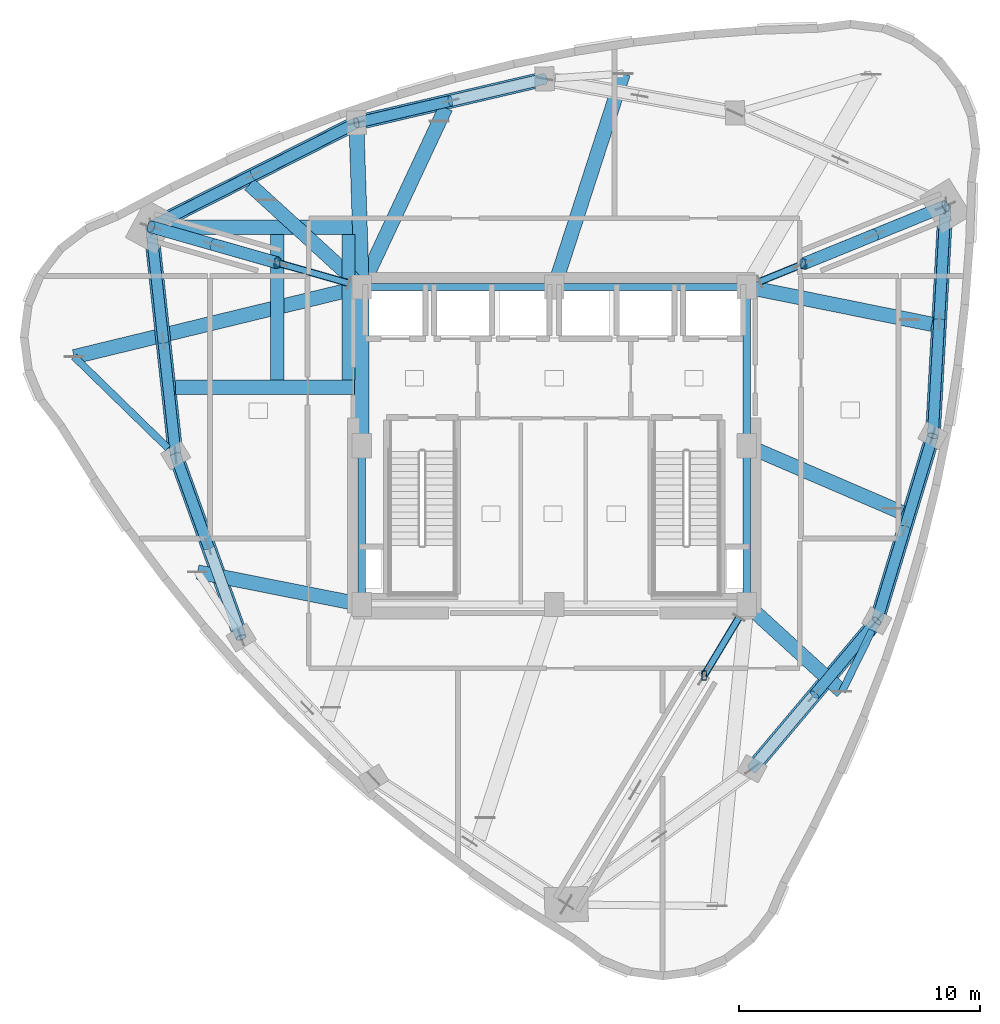
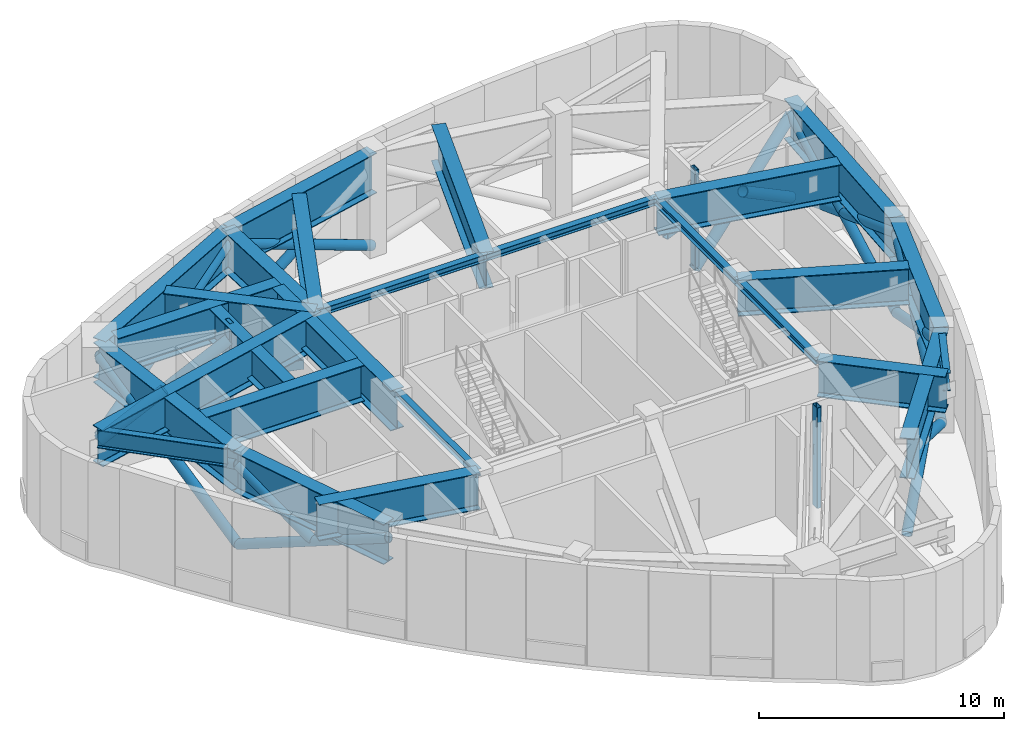
# One storey, part 2 of 10: 30 members, 28 beams.
"""IFC4 building model written with IfcOpenShell, lengths in metres."""

import ifcopenshell
import ifcopenshell.guid

model = None  # the IFC model being written
_history = None  # IfcOwnerHistory: only IFC2X3 demands one
_inside = {}  # id of a spatial element -> (the spatial element, [elements in it])
_under = {}  # id of a project, library or spatial element -> (it, [spatial elements below it])
_declared = {}  # id of a project -> (the project, [libraries it declares])
_typed = {}  # id of a type object -> (the type object, [elements of that type])
_made_of = {}  # id of a material, layer set ... -> (it, [elements and type objects made of it])


def new_model(schema):
    """Start an empty IFC model of exactly this schema.

    Asked for "IFC4X3", IfcOpenShell would pick the latest addendum, in which some entities
    have other attributes; the version numbers below select the first issue.
    IFC2X3 requires an IfcOwnerHistory on every rooted entity: one is made here for all.
    """
    global model, _history
    if schema == "IFC4X3":
        model = ifcopenshell.file(schema_version=(4, 3, 0, 0))
    else:
        model = ifcopenshell.file(schema=schema)
    _inside.clear()
    _under.clear()
    _declared.clear()
    _typed.clear()
    _made_of.clear()
    _history = None
    if model.schema == "IFC2X3":
        org = make("IfcOrganization", Name="unknown")
        user = make(
            "IfcPersonAndOrganization",
            ThePerson=make("IfcPerson", FamilyName="unknown"),
            TheOrganization=org,
        )
        app = make(
            "IfcApplication",
            ApplicationDeveloper=org,
            Version="unknown",
            ApplicationFullName="unknown",
            ApplicationIdentifier="unknown",
        )
        _history = make(
            "IfcOwnerHistory",
            OwningUser=user,
            OwningApplication=app,
            ChangeAction="ADDED",
            CreationDate=0,
        )
    return model


def make(cls, **values):
    """One entity of the class cls with the attributes given. An attribute that is None is left unset."""
    return model.create_entity(
        cls, **{name: value for name, value in values.items() if value is not None}
    )


def rooted(cls, **values):
    """An entity with a GlobalId (a new one), such as an element, a storey or a relation."""
    return make(cls, GlobalId=ifcopenshell.guid.new(), OwnerHistory=_history, **values)


def si_unit(unit_type, name, prefix=None):
    """IfcSIUnit, for example si_unit("LENGTHUNIT", "METRE", prefix="MILLI")."""
    return make("IfcSIUnit", UnitType=unit_type, Prefix=prefix, Name=name)


def assignment(units):
    """IfcUnitAssignment: the units of a project."""
    return None if units is None else make("IfcUnitAssignment", Units=units)


def point(xyz):
    """IfcCartesianPoint."""
    return None if xyz is None else make("IfcCartesianPoint", Coordinates=xyz)


def direction(xyz):
    """IfcDirection."""
    return None if xyz is None else make("IfcDirection", DirectionRatios=xyz)


def frame(location, z_axis=None, x_axis=None):
    """IfcAxis2Placement3D, a coordinate frame: its origin and axes. An axis left out is left unset."""
    return make(
        "IfcAxis2Placement3D",
        Location=point(location),
        Axis=direction(z_axis),
        RefDirection=direction(x_axis),
    )


def frame_2d(location, x_axis=None):
    """IfcAxis2Placement2D, a coordinate frame in the plane: its origin and x axis."""
    return make(
        "IfcAxis2Placement2D", Location=point(location), RefDirection=direction(x_axis)
    )


def origin():
    """The frame at (0, 0, 0) with its axes left unset."""
    return frame((0.0, 0.0, 0.0))


def origin_2d():
    """The frame at (0, 0) in the plane with its x axis left unset."""
    return frame_2d((0.0, 0.0))


def place(relative_to, where):
    """IfcLocalPlacement: puts the frame where relative to a parent placement (None: the world)."""
    return make(
        "IfcLocalPlacement", PlacementRelTo=relative_to, RelativePlacement=where
    )


def context(
    kind, dimensions, precision=None, world=None, true_north=None, identifier=None
):
    """IfcGeometricRepresentationContext, for example the 3D "Model" context."""
    return make(
        "IfcGeometricRepresentationContext",
        ContextIdentifier=identifier,
        ContextType=kind,
        CoordinateSpaceDimension=dimensions,
        Precision=precision,
        WorldCoordinateSystem=world,
        TrueNorth=true_north,
    )


def subcontext(parent, identifier, kind, view, scale=None):
    """IfcGeometricRepresentationSubContext, for example "Body" below "Model"."""
    return make(
        "IfcGeometricRepresentationSubContext",
        ContextIdentifier=identifier,
        ContextType=kind,
        ParentContext=parent,
        TargetScale=scale,
        TargetView=view,
    )


def project(units=None, contexts=None):
    """IfcProject with its units and contexts."""
    return rooted(
        "IfcProject",
        Name="project",
        RepresentationContexts=contexts,
        UnitsInContext=assignment(units),
    )


def spatial(cls, under=None, at=None, **own):
    """A site, building, storey or space (cls), placed at a placement, below another one or the project."""
    s = rooted(cls, ObjectPlacement=at, **own)
    if under is not None:
        _under.setdefault(under.id(), (under, []))[1].append(s)
    return s


def profile(cls, at=None, kind="AREA", **sizes):
    """A parametric profile (cls). Its sizes go by their IFC names, for example OverallWidth=200.0."""
    return make(cls, ProfileType=kind, Position=at, **sizes)


def hollow_rectangle(**sizes):
    """IfcRectangleHollowProfileDef."""
    return profile("IfcRectangleHollowProfileDef", **sizes)


def hollow_circle(**sizes):
    """IfcCircleHollowProfileDef."""
    return profile("IfcCircleHollowProfileDef", **sizes)


def i_section(**sizes):
    """IfcIShapeProfileDef."""
    return profile("IfcIShapeProfileDef", **sizes)


def extrude(swept, where, along, depth):
    """IfcExtrudedAreaSolid: the profile swept, set in the frame where, extruded along a direction by depth."""
    return make(
        "IfcExtrudedAreaSolid",
        SweptArea=swept,
        Position=where,
        ExtrudedDirection=direction(along),
        Depth=depth,
    )


def shape(context_of_items, identifier, shape_type, items):
    """IfcShapeRepresentation: the items that make up one representation, for example the "Body"."""
    return make(
        "IfcShapeRepresentation",
        ContextOfItems=context_of_items,
        RepresentationIdentifier=identifier,
        RepresentationType=shape_type,
        Items=items,
    )


def material(Name=None, Category=None):
    """IfcMaterial."""
    return make("IfcMaterial", Name=Name, Category=Category)


def material_profile(
    of_material, cross_section, Name=None, Category=None, Priority=None
):
    """IfcMaterialProfile: a cross section and its material."""
    return make(
        "IfcMaterialProfile",
        Name=Name,
        Material=of_material,
        Profile=cross_section,
        Priority=Priority,
        Category=Category,
    )


def profile_set(profiles, Name=None, composite=None):
    """IfcMaterialProfileSet."""
    return make(
        "IfcMaterialProfileSet",
        Name=Name,
        MaterialProfiles=profiles,
        CompositeProfile=composite,
    )


def made_of(thing, what):
    """Note that an element or type object is made of a material, layer set ...; save() writes the relation."""
    if what is not None:
        _made_of.setdefault(what.id(), (what, []))[1].append(thing)
    return thing


def type_object(cls, material=None, **own):
    """A type object (cls), such as IfcWallType, which elements share."""
    return made_of(rooted(cls, **own), material)


def element(
    cls,
    number,
    at=None,
    inside=None,
    cuts=None,
    type_object=None,
    material=None,
    context=None,
    identifier="Body",
    shape_type=None,
    held_by="IfcProductDefinitionShape",
    body=None,
    shapes=None,
    **own,
):
    """One element of the class cls, such as IfcWall. Its Tag is "e" and its number.

    at: its placement. inside: the storey or other place that contains it. cuts: it is an
    opening in that element (IfcRelVoidsElement). A single representation is given by context,
    identifier, shape_type and body (its items); several are given by shapes. held_by: the class
    of the entity that holds the representations. save() writes the other relations.
    """
    e = rooted(cls, Tag="e%d" % number, ObjectPlacement=at, **own)
    if body is not None:
        shapes = [shape(context, identifier, shape_type, body)]
    if shapes is not None:
        e.Representation = make(held_by, Representations=shapes)
    if inside is not None:
        _inside.setdefault(inside.id(), (inside, []))[1].append(e)
    if cuts is not None:
        rooted(
            "IfcRelVoidsElement", RelatingBuildingElement=cuts, RelatedOpeningElement=e
        )
    if type_object is not None:
        _typed.setdefault(type_object.id(), (type_object, []))[1].append(e)
    return made_of(e, material)


def aggregate(whole, parts):
    """IfcRelAggregates: a whole, such as a stair, and the parts it consists of."""
    return rooted("IfcRelAggregates", RelatingObject=whole, RelatedObjects=parts)


def save(model, path):
    """Write the relations noted so far, then the file.

    IfcRelAggregates (storeys below a building ...), IfcRelContainedInSpatialStructure (elements
    in a storey), IfcRelDefinesByType, IfcRelAssociatesMaterial and IfcRelDeclares: one each for
    every whole, place, type object, material and project.
    """
    for whole, parts in _under.values():
        aggregate(whole, parts)
    for where, things in _inside.values():
        rooted(
            "IfcRelContainedInSpatialStructure",
            RelatedElements=things,
            RelatingStructure=where,
        )
    for kind, things in _typed.values():
        rooted("IfcRelDefinesByType", RelatedObjects=things, RelatingType=kind)
    for what, things in _made_of.values():
        rooted("IfcRelAssociatesMaterial", RelatedObjects=things, RelatingMaterial=what)
    for by, libraries in _declared.values():
        rooted("IfcRelDeclares", RelatingContext=by, RelatedDefinitions=libraries)
    model.write(path)


model = new_model("IFC4")

# Units and contexts
model_context = context("Model", 3, precision=1e-05, world=origin(), true_north=direction((0.0, 1.0)))
body_context = subcontext(model_context, "Body", "Model", "MODEL_VIEW")
ifc_project = project(units=[si_unit("LENGTHUNIT", "METRE"), si_unit("AREAUNIT", "SQUARE_METRE"), si_unit("VOLUMEUNIT", "CUBIC_METRE"), si_unit("PLANEANGLEUNIT", "RADIAN"), si_unit("MASSUNIT", "GRAM", prefix="KILO")], contexts=[model_context])

# Site, building, storey
site_placement = place(None, origin())
site = spatial("IfcSite", under=ifc_project, at=site_placement, CompositionType="ELEMENT")
building_placement = place(site_placement, origin())
building = spatial("IfcBuilding", under=site, at=building_placement, Name="Ndelora Gate Hotel", CompositionType="ELEMENT")
storey_placement = place(building_placement, frame((0.0, 0.0, 254.949951171875)))
storey = spatial("IfcBuildingStorey", under=building, at=storey_placement, Name="L64", CompositionType="ELEMENT", Elevation=254.949951171875)

# Beams
ifc_material_1 = material(Name="Steel S460", Category="steel")
ifc_material_profile_1 = material_profile(ifc_material_1, i_section(OverallWidth=0.300048828125, OverallDepth=0.89990234375, WebThickness=0.0185546875, FlangeThickness=0.034912109375, FilletRadius=0.030029296875, at=origin_2d()), Name="HEB 900")
ifc_profile_set_1 = profile_set([ifc_material_profile_1], Name="Steel S460")
beam_type_1 = type_object("IfcBeamType", Name="BM-BELT-900", PredefinedType="SPANDREL", material=ifc_profile_set_1)
beam_1_placement = place(storey_placement, frame((-19.949951171875, 3.697509765625, 4.550048828125), z_axis=(0.716445806272, -0.697642750034, 0.0), x_axis=(0.697642750034, 0.716445806272, 0.0)))
element("IfcBeam", 1, at=beam_1_placement, inside=storey, type_object=beam_type_1, Name="L64 Setback Corner Transfer Edge Tie 1", PredefinedType="SPANDREL", context=body_context, shape_type="SweptSolid", body=[
    extrude(i_section(OverallWidth=0.300048828125, OverallDepth=0.89990234375, WebThickness=0.0185546875, FlangeThickness=0.034912109375, FilletRadius=0.030029296875, at=origin_2d()), origin(), (0.0, 0.0, 1.0), 5.4404296875),
])
beam_2_placement = place(storey_placement, frame((11.956787109375, -10.212158203125, 4.550048828125), z_axis=(0.441182617903, 0.897417348651, 0.0), x_axis=(-0.897417348651, 0.441182617903, 0.0)))
element("IfcBeam", 2, at=beam_2_placement, inside=storey, type_object=beam_type_1, Name="L64 Setback Corner Transfer Edge Tie 7", PredefinedType="SPANDREL", context=body_context, shape_type="SweptSolid", body=[
    extrude(i_section(OverallWidth=0.300048828125, OverallDepth=0.89990234375, WebThickness=0.0185546875, FlangeThickness=0.034912109375, FilletRadius=0.030029296875, at=origin_2d()), origin(), (0.0, 0.0, 1.0), 2.822265625),
])
ifc_material_2 = material(Name="Steel S355", Category="steel")
ifc_material_profile_2 = material_profile(ifc_material_2, i_section(OverallWidth=0.300048828125, OverallDepth=0.35009765625, WebThickness=0.010009765625, FlangeThickness=0.017578125, FilletRadius=0.027099609375, at=origin_2d()), Name="HEA 360")
ifc_profile_set_2 = profile_set([ifc_material_profile_2], Name="Steel S355")
beam_type_2 = type_object("IfcBeamType", Name="BM-CORE-350", PredefinedType="BEAM", material=ifc_profile_set_2)
for number, where, z_axis, x_axis, name in (
    (3, (-8.0, 6.60009765625, 4.824951171875), (1.0, 0.0, 0.0), (0.0, 1.0, 0.0), "L64 Core Tie Girder CC7-CC6"),
    (4, (0.0, 6.60009765625, 4.824951171875), (1.0, 0.0, 0.0), (0.0, 1.0, 0.0), "L64 Core Tie Girder CC6-CC5"),
):
    element("IfcBeam", number, at=place(storey_placement, frame(where, z_axis=z_axis, x_axis=x_axis)), inside=storey, type_object=beam_type_2, Name=name, PredefinedType="BEAM", context=body_context, shape_type="SweptSolid", body=[
        extrude(i_section(OverallWidth=0.300048828125, OverallDepth=0.35009765625, WebThickness=0.010009765625, FlangeThickness=0.017578125, FilletRadius=0.027099609375, at=origin_2d()), origin(), (0.0, 0.0, 1.0), 8.0),
    ])
for number, where, z_axis, x_axis, name in (
    (5, (-8.0, -6.60009765625, 4.824951171875), (0.0, 1.0, 0.0), (-1.0, 0.0, 0.0), "L64 Core Tie Girder CC1-CC8"),
    (6, (8.0, -6.60009765625, 4.824951171875), (0.0, 1.0, 0.0), (-1.0, 0.0, 0.0), "L64 Core Tie Girder CC3-CC4"),
    (7, (8.0, 0.0, 4.824951171875), (0.0, 1.0, 0.0), (-1.0, 0.0, 0.0), "L64 Core Tie Girder CC4-CC5"),
):
    element("IfcBeam", number, at=place(storey_placement, frame(where, z_axis=z_axis, x_axis=x_axis)), inside=storey, type_object=beam_type_2, Name=name, PredefinedType="BEAM", context=body_context, shape_type="SweptSolid", body=[
        extrude(i_section(OverallWidth=0.300048828125, OverallDepth=0.35009765625, WebThickness=0.010009765625, FlangeThickness=0.017578125, FilletRadius=0.027099609375, at=origin_2d()), origin(), (0.0, 0.0, 1.0), 6.60009765625),
    ])
ifc_material_profile_3 = material_profile(ifc_material_1, i_section(OverallWidth=0.550048828125, OverallDepth=1.60009765625, WebThickness=0.02587890625, FlangeThickness=0.0380859375, FilletRadius=0.02392578125, at=origin_2d()), Name="PG 1600x550x38")
ifc_profile_set_3 = profile_set([ifc_material_profile_3], Name="Steel S460")
beam_type_3 = type_object("IfcBeamType", Name="BM-TR-1600", PredefinedType="BEAM", material=ifc_profile_set_3)
for number, where, z_axis, x_axis, name in (
    (8, (-11.510009765625, 2.72998046875, 4.199951171875), (0.0, 1.0, 0.0), (-1.0, 0.0, 0.0), "L64 Crown Stair ST6 West Bearing Girder"),
    (9, (-8.550048828125, 2.72998046875, 4.199951171875), (0.0, 1.0, 0.0), (-1.0, 0.0, 0.0), "L64 Crown Stair ST6 East Bearing Girder"),
):
    element("IfcBeam", number, at=place(storey_placement, frame(where, z_axis=z_axis, x_axis=x_axis)), inside=storey, type_object=beam_type_3, Name=name, PredefinedType="BEAM", context=body_context, shape_type="SweptSolid", body=[
        extrude(i_section(OverallWidth=0.550048828125, OverallDepth=1.60009765625, WebThickness=0.02587890625, FlangeThickness=0.0380859375, FilletRadius=0.02392578125, at=origin_2d()), origin(), (0.0, 0.0, 1.0), 6.0400390625),
    ])
ifc_material_profile_4 = material_profile(ifc_material_1, i_section(OverallWidth=0.60009765625, OverallDepth=1.800048828125, WebThickness=0.028076171875, FlangeThickness=0.0400390625, FilletRadius=0.02392578125, at=origin_2d()), Name="PG 1800x600x40")
ifc_profile_set_4 = profile_set([ifc_material_profile_4], Name="Steel S460")
beam_type_4 = type_object("IfcBeamType", Name="BM-TR-1800", PredefinedType="BEAM", material=ifc_profile_set_4)
beam_3_placement = place(storey_placement, frame((-8.0, 6.60009765625, 4.10009765625), z_axis=(-0.971745182854, -0.23603241218, 0.0), x_axis=(0.23603241218, -0.971745182854, 0.0)))
element("IfcBeam", 10, at=beam_3_placement, inside=storey, type_object=beam_type_4, Name="L64 Setback Two-Support Radial Transfer Girder 1", PredefinedType="BEAM", context=body_context, shape_type="SweptSolid", body=[
    extrude(i_section(OverallWidth=0.60009765625, OverallDepth=1.800048828125, WebThickness=0.028076171875, FlangeThickness=0.0400390625, FilletRadius=0.02392578125, at=origin_2d()), origin(), (0.0, 0.0, 1.0), 12.29736328125),
])
beam_4_placement = place(storey_placement, frame((-8.0, -6.60009765625, 4.10009765625), z_axis=(-0.980943509294, 0.194293158846, 0.0), x_axis=(-0.194293158846, -0.980943509294, 0.0)))
element("IfcBeam", 11, at=beam_4_placement, inside=storey, type_object=beam_type_4, Name="L64 Setback Two-Support Radial Transfer Girder 4", PredefinedType="BEAM", context=body_context, shape_type="SweptSolid", body=[
    extrude(i_section(OverallWidth=0.60009765625, OverallDepth=1.800048828125, WebThickness=0.028076171875, FlangeThickness=0.0400390625, FilletRadius=0.02392578125, at=origin_2d()), origin(), (0.0, 0.0, 1.0), 6.955078125),
])
beam_5_placement = place(storey_placement, frame((8.0, -6.60009765625, 4.10009765625), z_axis=(0.73854665752, -0.674202369223, 0.0), x_axis=(0.674202369223, 0.73854665752, 0.0)))
element("IfcBeam", 12, at=beam_5_placement, inside=storey, type_object=beam_type_4, Name="L64 Setback Two-Support Radial Transfer Girder 7", PredefinedType="BEAM", context=body_context, shape_type="SweptSolid", body=[
    extrude(i_section(OverallWidth=0.60009765625, OverallDepth=1.800048828125, WebThickness=0.028076171875, FlangeThickness=0.0400390625, FilletRadius=0.02392578125, at=origin_2d()), origin(), (0.0, 0.0, 1.0), 5.357421875),
])
beam_6_placement = place(storey_placement, frame((8.0, 0.0, 4.10009765625), z_axis=(0.918525460886, -0.395361831369, 0.0), x_axis=(0.395361831369, 0.918525460886, 0.0)))
element("IfcBeam", 13, at=beam_6_placement, inside=storey, type_object=beam_type_4, Name="L64 Setback Two-Support Radial Transfer Girder 8", PredefinedType="BEAM", context=body_context, shape_type="SweptSolid", body=[
    extrude(i_section(OverallWidth=0.60009765625, OverallDepth=1.800048828125, WebThickness=0.028076171875, FlangeThickness=0.0400390625, FilletRadius=0.02392578125, at=origin_2d()), origin(), (0.0, 0.0, 1.0), 7.024169921875),
])
beam_7_placement = place(storey_placement, frame((8.0, 6.60009765625, 4.10009765625), z_axis=(0.980217539393, -0.197923155456, 0.0), x_axis=(0.197923155456, 0.980217539393, 0.0)))
element("IfcBeam", 14, at=beam_7_placement, inside=storey, type_object=beam_type_4, Name="L64 Setback Two-Support Radial Transfer Girder 9", PredefinedType="BEAM", context=body_context, shape_type="SweptSolid", body=[
    extrude(i_section(OverallWidth=0.60009765625, OverallDepth=1.800048828125, WebThickness=0.028076171875, FlangeThickness=0.0400390625, FilletRadius=0.02392578125, at=origin_2d()), origin(), (0.0, 0.0, 1.0), 7.84521484375),
])
beam_8_placement = place(storey_placement, frame((0.0, 6.60009765625, 4.10009765625), z_axis=(0.307689759964, 0.951486737487, 0.0), x_axis=(-0.951486737487, 0.307689759964, 0.0)))
element("IfcBeam", 15, at=beam_8_placement, inside=storey, type_object=beam_type_4, Name="L64 Setback Two-Support Radial Transfer Girder 10", PredefinedType="BEAM", context=body_context, shape_type="SweptSolid", body=[
    extrude(i_section(OverallWidth=0.60009765625, OverallDepth=1.800048828125, WebThickness=0.028076171875, FlangeThickness=0.0400390625, FilletRadius=0.02392578125, at=origin_2d()), origin(), (0.0, 0.0, 1.0), 9.31298828125),
])
beam_9_placement = place(storey_placement, frame((-8.0, 6.60009765625, 4.10009765625), z_axis=(0.424356987997, 0.905494973337, 0.0), x_axis=(-0.905494973337, 0.424356987997, 0.0)))
element("IfcBeam", 16, at=beam_9_placement, inside=storey, type_object=beam_type_4, Name="L64 Setback Two-Support Radial Transfer Girder 11", PredefinedType="BEAM", context=body_context, shape_type="SweptSolid", body=[
    extrude(i_section(OverallWidth=0.60009765625, OverallDepth=1.800048828125, WebThickness=0.028076171875, FlangeThickness=0.0400390625, FilletRadius=0.02392578125, at=origin_2d()), origin(), (0.0, 0.0, 1.0), 8.216796875),
])
beam_10_placement = place(storey_placement, frame((-8.0, 6.60009765625, 4.10009765625), z_axis=(-0.73854744163, 0.674201510279, 0.0), x_axis=(-0.674201510279, -0.73854744163, 0.0)))
element("IfcBeam", 17, at=beam_10_placement, inside=storey, type_object=beam_type_4, Name="L64 Setback Two-Support Radial Transfer Girder 12", PredefinedType="BEAM", context=body_context, shape_type="SweptSolid", body=[
    extrude(i_section(OverallWidth=0.60009765625, OverallDepth=1.800048828125, WebThickness=0.028076171875, FlangeThickness=0.0400390625, FilletRadius=0.02392578125, at=origin_2d()), origin(), (0.0, 0.0, 1.0), 6.3134765625),
])
beam_11_placement = place(storey_placement, frame((-16.050048828125, 9.070068359375, 4.10009765625), z_axis=(1.0, 0.0, 0.0), x_axis=(0.0, 1.0, 0.0)))
element("IfcBeam", 18, at=beam_11_placement, inside=storey, type_object=beam_type_4, Name="L64 Crown Stair ST6 North Transfer Girder", PredefinedType="BEAM", context=body_context, shape_type="SweptSolid", body=[
    extrude(i_section(OverallWidth=0.60009765625, OverallDepth=1.800048828125, WebThickness=0.028076171875, FlangeThickness=0.0400390625, FilletRadius=0.02392578125, at=origin_2d()), origin(), (0.0, 0.0, 1.0), 7.66015625),
])
beam_12_placement = place(storey_placement, frame((-15.72998046875, 2.429931640625, 4.10009765625), z_axis=(1.0, 0.0, 0.0), x_axis=(0.0, 1.0, 0.0)))
element("IfcBeam", 19, at=beam_12_placement, inside=storey, type_object=beam_type_4, Name="L64 Crown Stair ST6 South Transfer Girder", PredefinedType="BEAM", context=body_context, shape_type="SweptSolid", body=[
    extrude(i_section(OverallWidth=0.60009765625, OverallDepth=1.800048828125, WebThickness=0.028076171875, FlangeThickness=0.0400390625, FilletRadius=0.02392578125, at=origin_2d()), origin(), (0.0, 0.0, 1.0), 7.419921875),
])
ifc_material_profile_5 = material_profile(ifc_material_1, i_section(OverallWidth=0.6201171875, OverallDepth=2.0, WebThickness=0.028076171875, FlangeThickness=0.0400390625, FilletRadius=0.02392578125, at=origin_2d()), Name="PG 2000x620x40")
ifc_profile_set_5 = profile_set([ifc_material_profile_5], Name="Steel S460")
beam_type_5 = type_object("IfcBeamType", Name="BM-TR-2000", PredefinedType="BEAM", material=ifc_profile_set_5)
beam_13_placement = place(storey_placement, frame((-8.0, 0.0, 4.0), z_axis=(0.0, 1.0, 0.0), x_axis=(-1.0, 0.0, 0.0)))
element("IfcBeam", 20, at=beam_13_placement, inside=storey, type_object=beam_type_5, Name="L64 Core Tie Girder CC8-CC7", PredefinedType="BEAM", context=body_context, shape_type="SweptSolid", body=[
    extrude(i_section(OverallWidth=0.6201171875, OverallDepth=2.0, WebThickness=0.028076171875, FlangeThickness=0.0400390625, FilletRadius=0.02392578125, at=origin_2d()), origin(), (0.0, 0.0, 1.0), 6.60009765625),
])
beam_14_placement = place(storey_placement, frame((-16.759521484375, 9.099609375, 4.0), z_axis=(0.107613416645, -0.994192814578, 0.0), x_axis=(0.994192814578, 0.107613416645, 0.0)))
element("IfcBeam", 21, at=beam_14_placement, inside=storey, type_object=beam_type_5, Name="L64 Belt Truss Top Chord Girder 1", PredefinedType="BEAM", context=body_context, shape_type="SweptSolid", body=[
    extrude(i_section(OverallWidth=0.6201171875, OverallDepth=2.0, WebThickness=0.028076171875, FlangeThickness=0.0400390625, FilletRadius=0.02392578125, at=origin_2d()), origin(), (0.0, 0.0, 1.0), 9.567138671875),
])
beam_15_placement = place(storey_placement, frame((-15.72998046875, -0.411865234375, 4.0), z_axis=(0.338244972382, -0.941058095262, 0.0), x_axis=(0.941058095262, 0.338244972382, 0.0)))
element("IfcBeam", 22, at=beam_15_placement, inside=storey, type_object=beam_type_5, Name="L64 Belt Truss Top Chord Girder 2", PredefinedType="BEAM", context=body_context, shape_type="SweptSolid", body=[
    extrude(i_section(OverallWidth=0.6201171875, OverallDepth=2.0, WebThickness=0.028076171875, FlangeThickness=0.0400390625, FilletRadius=0.02392578125, at=origin_2d()), origin(), (0.0, 0.0, 1.0), 8.03564453125),
])
beam_16_placement = place(storey_placement, frame((8.223876953125, -13.419921875, 4.0), z_axis=(0.644308845181, 0.764765396721, 0.0), x_axis=(-0.764765396721, 0.644308845181, 0.0)))
element("IfcBeam", 23, at=beam_16_placement, inside=storey, type_object=beam_type_5, Name="L64 Belt Truss Top Chord Girder 6", PredefinedType="BEAM", context=body_context, shape_type="SweptSolid", body=[
    extrude(i_section(OverallWidth=0.6201171875, OverallDepth=2.0, WebThickness=0.028076171875, FlangeThickness=0.0400390625, FilletRadius=0.02392578125, at=origin_2d()), origin(), (0.0, 0.0, 1.0), 8.0341796875),
])
beam_17_placement = place(storey_placement, frame((13.400390625, -7.275634765625, 4.0), z_axis=(0.290012456561, 0.957022870698, 0.0), x_axis=(-0.957022870698, 0.290012456561, 0.0)))
element("IfcBeam", 24, at=beam_17_placement, inside=storey, type_object=beam_type_5, Name="L64 Belt Truss Top Chord Girder 7", PredefinedType="BEAM", context=body_context, shape_type="SweptSolid", body=[
    extrude(i_section(OverallWidth=0.6201171875, OverallDepth=2.0, WebThickness=0.028076171875, FlangeThickness=0.0400390625, FilletRadius=0.02392578125, at=origin_2d()), origin(), (0.0, 0.0, 1.0), 8.03271484375),
])
beam_18_placement = place(storey_placement, frame((15.72998046875, 0.411865234375, 4.0), z_axis=(0.055426206248, 0.998462786318, 0.0), x_axis=(-0.998462786318, 0.055426206248, 0.0)))
element("IfcBeam", 25, at=beam_18_placement, inside=storey, type_object=beam_type_5, Name="L64 Belt Truss Top Chord Girder 8", PredefinedType="BEAM", context=body_context, shape_type="SweptSolid", body=[
    extrude(i_section(OverallWidth=0.6201171875, OverallDepth=2.0, WebThickness=0.028076171875, FlangeThickness=0.0400390625, FilletRadius=0.02392578125, at=origin_2d()), origin(), (0.0, 0.0, 1.0), 9.567138671875),
])
beam_19_placement = place(storey_placement, frame((-0.399169921875, 15.242919921875, 4.0), z_axis=(-0.973809142107, -0.227367004529, 0.0), x_axis=(0.227367004529, -0.973809142107, 0.0)))
element("IfcBeam", 26, at=beam_19_placement, inside=storey, type_object=beam_type_5, Name="L64 Belt Truss Top Chord Girder 11", PredefinedType="BEAM", context=body_context, shape_type="SweptSolid", body=[
    extrude(i_section(OverallWidth=0.6201171875, OverallDepth=2.0, WebThickness=0.028076171875, FlangeThickness=0.0400390625, FilletRadius=0.02392578125, at=origin_2d()), origin(), (0.0, 0.0, 1.0), 8.032958984375),
])
beam_20_placement = place(storey_placement, frame((-8.2216796875, 13.41650390625, 4.0), z_axis=(-0.89241242978, -0.451220628045, 0.0), x_axis=(0.451220628045, -0.89241242978, 0.0)))
element("IfcBeam", 27, at=beam_20_placement, inside=storey, type_object=beam_type_5, Name="L64 Belt Truss Top Chord Girder 12", PredefinedType="BEAM", context=body_context, shape_type="SweptSolid", body=[
    extrude(i_section(OverallWidth=0.6201171875, OverallDepth=2.0, WebThickness=0.028076171875, FlangeThickness=0.0400390625, FilletRadius=0.02392578125, at=origin_2d()), origin(), (0.0, 0.0, 1.0), 9.567138671875),
])
beam_21_placement = place(storey_placement, frame((-8.0, 6.60009765625, 4.0), z_axis=(-0.032504305468, 0.999471595457, 0.0), x_axis=(-0.999471595457, -0.032504305468, 0.0)))
element("IfcBeam", 28, at=beam_21_placement, inside=storey, type_object=beam_type_5, Name="L64 Crown Stair ST6 East Spine Girder", PredefinedType="BEAM", context=body_context, shape_type="SweptSolid", body=[
    extrude(i_section(OverallWidth=0.6201171875, OverallDepth=2.0, WebThickness=0.028076171875, FlangeThickness=0.0400390625, FilletRadius=0.02392578125, at=origin_2d()), origin(), (0.0, 0.0, 1.0), 6.820068359375),
])

# Members
ifc_material_profile_6 = material_profile(ifc_material_1, hollow_circle(Radius=0.228515625, WallThickness=0.02490234375, at=origin_2d()), Name="CHS 457x25")
ifc_profile_set_6 = profile_set([ifc_material_profile_6], Name="Steel S460")
member_type_1 = type_object("IfcMemberType", Name="MB-BELT-457", PredefinedType="BRACE", material=ifc_profile_set_6)
member_1_placement = place(storey_placement, frame((-16.759521484375, 9.099609375, 0.239990234375), z_axis=(0.099432241838, -0.918610554841, 0.382449836996), x_axis=(0.994192814578, 0.107613416645, 0.0)))
element("IfcMember", 29, at=member_1_placement, inside=storey, type_object=member_type_1, Name="L64 Storey-Deep Belt Truss Continuous Diagonal 1A", PredefinedType="BRACE", context=body_context, shape_type="SweptSolid", body=[
    extrude(hollow_circle(Radius=0.228515625, WallThickness=0.02490234375, at=origin_2d()), origin(), (0.0, 0.0, 1.0), 10.354248046875),
])
member_2_placement = place(storey_placement, frame((-15.72998046875, -0.411865234375, 0.239990234375), z_axis=(-0.099406742823, 0.91861639003, 0.382442449853), x_axis=(-0.994195839876, -0.107585463576, 0.0)))
element("IfcMember", 30, at=member_2_placement, inside=storey, type_object=member_type_1, Name="L64 Storey-Deep Belt Truss Split Diagonal 1B-Lower", PredefinedType="BRACE", context=body_context, shape_type="SweptSolid", body=[
    extrude(hollow_circle(Radius=0.228515625, WallThickness=0.02490234375, at=origin_2d()), origin(), (0.0, 0.0, 1.0), 5.17724609375),
])
member_3_placement = place(storey_placement, frame((-16.24462890625, 4.343994140625, 2.219970703125), z_axis=(-0.099457741765, 0.918604718748, 0.382457224141), x_axis=(-0.994189788356, -0.107641370894, 0.0)))
element("IfcMember", 31, at=member_3_placement, inside=storey, type_object=member_type_1, Name="L64 Storey-Deep Belt Truss Split Diagonal 1B-Upper", PredefinedType="BRACE", context=body_context, shape_type="SweptSolid", body=[
    extrude(hollow_circle(Radius=0.228515625, WallThickness=0.02490234375, at=origin_2d()), origin(), (0.0, 0.0, 1.0), 5.177001953125),
])
member_4_placement = place(storey_placement, frame((-15.72998046875, -0.411865234375, 0.239990234375), z_axis=(0.303404353861, -0.844125254333, 0.442038859214), x_axis=(0.941058095262, 0.338244972382, 0.0)))
element("IfcMember", 32, at=member_4_placement, inside=storey, type_object=member_type_1, Name="L64 Storey-Deep Belt Truss Continuous Diagonal 2A", PredefinedType="BRACE", context=body_context, shape_type="SweptSolid", body=[
    extrude(hollow_circle(Radius=0.228515625, WallThickness=0.02490234375, at=origin_2d()), origin(), (0.0, 0.0, 1.0), 8.95849609375),
])
member_5_placement = place(storey_placement, frame((-14.37109375, -4.19287109375, 2.219970703125), z_axis=(-0.303379609576, 0.844132233831, 0.442042514133), x_axis=(-0.941067765878, -0.338218065789, 0.0)))
element("IfcMember", 33, at=member_5_placement, inside=storey, type_object=member_type_1, Name="L64 Storey-Deep Belt Truss Split Diagonal 2B-Upper", PredefinedType="BRACE", context=body_context, shape_type="SweptSolid", body=[
    extrude(hollow_circle(Radius=0.228515625, WallThickness=0.02490234375, at=origin_2d()), origin(), (0.0, 0.0, 1.0), 4.479248046875),
])
member_6_placement = place(storey_placement, frame((8.223876953125, -13.419921875, 0.239990234375), z_axis=(0.577922202348, 0.685967460571, 0.442102444092), x_axis=(-0.764765396721, 0.644308845181, 0.0)))
element("IfcMember", 34, at=member_6_placement, inside=storey, type_object=member_type_1, Name="L64 Storey-Deep Belt Truss Continuous Diagonal 6A", PredefinedType="BRACE", context=body_context, shape_type="SweptSolid", body=[
    extrude(hollow_circle(Radius=0.228515625, WallThickness=0.02490234375, at=origin_2d()), origin(), (0.0, 0.0, 1.0), 8.95703125),
])
member_7_placement = place(storey_placement, frame((13.400390625, -7.275634765625, 0.239990234375), z_axis=(-0.577929549579, -0.685971085824, 0.442087214402), x_axis=(0.764763038396, -0.644311644395, 0.0)))
element("IfcMember", 35, at=member_7_placement, inside=storey, type_object=member_type_1, Name="L64 Storey-Deep Belt Truss Split Diagonal 6B-Lower", PredefinedType="BRACE", context=body_context, shape_type="SweptSolid", body=[
    extrude(hollow_circle(Radius=0.228515625, WallThickness=0.02490234375, at=origin_2d()), origin(), (0.0, 0.0, 1.0), 4.478759765625),
])
member_8_placement = place(storey_placement, frame((13.400390625, -7.275634765625, 0.239990234375), z_axis=(0.26012147581, 0.85838451376, 0.442168343915), x_axis=(-0.957022870698, 0.290012456561, 0.0)))
element("IfcMember", 36, at=member_8_placement, inside=storey, type_object=member_type_1, Name="L64 Storey-Deep Belt Truss Continuous Diagonal 7A", PredefinedType="BRACE", context=body_context, shape_type="SweptSolid", body=[
    extrude(hollow_circle(Radius=0.228515625, WallThickness=0.02490234375, at=origin_2d()), origin(), (0.0, 0.0, 1.0), 8.955810546875),
])
for number, where, z_axis, x_axis, name in (
    (37, (15.72998046875, 0.411865234375, 0.239990234375), (-0.26012147581, -0.85838451376, 0.442168343915), (0.957022870698, -0.290012456561, 0.0), "L64 Storey-Deep Belt Truss Split Diagonal 7B-Lower"),
    (38, (14.565185546875, -3.431884765625, 2.219970703125), (-0.26012147581, -0.85838451376, 0.442168343915), (0.957022870698, -0.290012456561, 0.0), "L64 Storey-Deep Belt Truss Split Diagonal 7B-Upper"),
):
    element("IfcMember", number, at=place(storey_placement, frame(where, z_axis=z_axis, x_axis=x_axis)), inside=storey, type_object=member_type_1, Name=name, PredefinedType="BRACE", context=body_context, shape_type="SweptSolid", body=[
        extrude(hollow_circle(Radius=0.228515625, WallThickness=0.02490234375, at=origin_2d()), origin(), (0.0, 0.0, 1.0), 4.477783203125),
    ])
member_9_placement = place(storey_placement, frame((15.72998046875, 0.411865234375, 0.239990234375), z_axis=(0.051212627676, 0.922558233466, 0.382444208521), x_axis=(-0.998462786318, 0.055426206248, 0.0)))
element("IfcMember", 39, at=member_9_placement, inside=storey, type_object=member_type_1, Name="L64 Storey-Deep Belt Truss Continuous Diagonal 8A", PredefinedType="BRACE", context=body_context, shape_type="SweptSolid", body=[
    extrude(hollow_circle(Radius=0.228515625, WallThickness=0.02490234375, at=origin_2d()), origin(), (0.0, 0.0, 1.0), 10.354248046875),
])
member_10_placement = place(storey_placement, frame((16.26025390625, 9.96435546875, 0.239990234375), z_axis=(-0.051211513691, -0.922561743875, 0.382435889533), x_axis=(0.998462864709, -0.055424794064, 0.0)))
element("IfcMember", 40, at=member_10_placement, inside=storey, type_object=member_type_1, Name="L64 Storey-Deep Belt Truss Split Diagonal 8B-Lower", PredefinedType="BRACE", context=body_context, shape_type="SweptSolid", body=[
    extrude(hollow_circle(Radius=0.228515625, WallThickness=0.02490234375, at=origin_2d()), origin(), (0.0, 0.0, 1.0), 5.17724609375),
])
member_11_placement = place(storey_placement, frame((15.9951171875, 5.18798828125, 2.219970703125), z_axis=(-0.051213741706, -0.922554722827, 0.382452527839), x_axis=(0.99846270792, -0.055427618504, 0.0)))
element("IfcMember", 41, at=member_11_placement, inside=storey, type_object=member_type_1, Name="L64 Storey-Deep Belt Truss Split Diagonal 8B-Upper", PredefinedType="BRACE", context=body_context, shape_type="SweptSolid", body=[
    extrude(hollow_circle(Radius=0.228515625, WallThickness=0.02490234375, at=origin_2d()), origin(), (0.0, 0.0, 1.0), 5.177001953125),
])
member_12_placement = place(storey_placement, frame((-0.399169921875, 15.242919921875, 0.239990234375), z_axis=(-0.873444376589, -0.203933628203, 0.442160600114), x_axis=(0.227367004529, -0.973809142107, 0.0)))
element("IfcMember", 42, at=member_12_placement, inside=storey, type_object=member_type_1, Name="L64 Storey-Deep Belt Truss Continuous Diagonal 11A", PredefinedType="BRACE", context=body_context, shape_type="SweptSolid", body=[
    extrude(hollow_circle(Radius=0.228515625, WallThickness=0.02490234375, at=origin_2d()), origin(), (0.0, 0.0, 1.0), 8.9560546875),
])
member_13_placement = place(storey_placement, frame((-8.2216796875, 13.41650390625, 0.239990234375), z_axis=(0.873455694852, 0.203902646448, 0.442152530132), x_axis=(-0.227331454469, 0.973817441726, 0.0)))
element("IfcMember", 43, at=member_13_placement, inside=storey, type_object=member_type_1, Name="L64 Storey-Deep Belt Truss Split Diagonal 11B-Lower", PredefinedType="BRACE", context=body_context, shape_type="SweptSolid", body=[
    extrude(hollow_circle(Radius=0.228515625, WallThickness=0.02490234375, at=origin_2d()), origin(), (0.0, 0.0, 1.0), 4.47802734375),
])
member_14_placement = place(storey_placement, frame((-8.2216796875, 13.41650390625, 0.239990234375), z_axis=(-0.824569356582, -0.416917885193, 0.382445882696), x_axis=(0.451220628045, -0.89241242978, 0.0)))
element("IfcMember", 44, at=member_14_placement, inside=storey, type_object=member_type_1, Name="L64 Storey-Deep Belt Truss Continuous Diagonal 12A", PredefinedType="BRACE", context=body_context, shape_type="SweptSolid", body=[
    extrude(hollow_circle(Radius=0.228515625, WallThickness=0.02490234375, at=origin_2d()), origin(), (0.0, 0.0, 1.0), 10.354248046875),
])
member_15_placement = place(storey_placement, frame((-16.759521484375, 9.099609375, 0.239990234375), z_axis=(0.824576903547, 0.416909779496, 0.382438447202), x_axis=(-0.451210352533, 0.8924176252, 0.0)))
element("IfcMember", 45, at=member_15_placement, inside=storey, type_object=member_type_1, Name="L64 Storey-Deep Belt Truss Split Diagonal 12B-Lower", PredefinedType="BRACE", context=body_context, shape_type="SweptSolid", body=[
    extrude(hollow_circle(Radius=0.228515625, WallThickness=0.02490234375, at=origin_2d()), origin(), (0.0, 0.0, 1.0), 5.17724609375),
])
member_16_placement = place(storey_placement, frame((-12.490478515625, 11.258056640625, 2.219970703125), z_axis=(0.824561809178, 0.416925991132, 0.382453318412), x_axis=(-0.451230903966, 0.892407234006, 0.0)))
element("IfcMember", 46, at=member_16_placement, inside=storey, type_object=member_type_1, Name="L64 Storey-Deep Belt Truss Split Diagonal 12B-Upper", PredefinedType="BRACE", context=body_context, shape_type="SweptSolid", body=[
    extrude(hollow_circle(Radius=0.228515625, WallThickness=0.02490234375, at=origin_2d()), origin(), (0.0, 0.0, 1.0), 5.177001953125),
])
ifc_material_profile_7 = material_profile(ifc_material_1, hollow_circle(Radius=0.25390625, WallThickness=0.028076171875, at=origin_2d()), Name="CHS 508x28")
ifc_profile_set_7 = profile_set([ifc_material_profile_7], Name="Steel S460")
member_type_2 = type_object("IfcMemberType", Name="MB-OUT-508", PredefinedType="BRACE", material=ifc_profile_set_7)
member_17_placement = place(storey_placement, frame((-11.510009765625, 7.6015625, 0.0), z_axis=(-0.768897691193, 0.21941941369, 0.600542639098), x_axis=(-0.274413966812, -0.961611654889, 0.0)))
element("IfcMember", 47, at=member_17_placement, inside=storey, type_object=member_type_2, Name="L64 Core-to-Mega-Column Outrigger Continuous Arm 1A", PredefinedType="BRACE", context=body_context, shape_type="SweptSolid", body=[
    extrude(hollow_circle(Radius=0.25390625, WallThickness=0.028076171875, at=origin_2d()), origin(), (0.0, 0.0, 1.0), 6.827392578125),
])
for number, where, z_axis, x_axis, name in (
    (48, (-11.510009765625, 7.6015625, 4.10009765625), (-0.768897691193, 0.21941941369, -0.600542639098), (-0.274413966812, -0.961611654889, 0.0), "L64 Core-to-Mega-Column Outrigger Split Arm 1B-Upper"),
    (49, (-14.134765625, 8.3505859375, 2.050048828125), (-0.768897691193, 0.21941941369, -0.600542639098), (-0.274413966812, -0.961611654889, 0.0), "L64 Core-to-Mega-Column Outrigger Split Arm 1B-Lower"),
):
    element("IfcMember", number, at=place(storey_placement, frame(where, z_axis=z_axis, x_axis=x_axis)), inside=storey, type_object=member_type_2, Name=name, PredefinedType="BRACE", context=body_context, shape_type="SweptSolid", body=[
        extrude(hollow_circle(Radius=0.25390625, WallThickness=0.028076171875, at=origin_2d()), origin(), (0.0, 0.0, 1.0), 3.41357421875),
    ])
member_18_placement = place(storey_placement, frame((10.35009765625, 7.55712890625, 0.0), z_axis=(0.77916792181, 0.317357720962, 0.540538089841), x_axis=(-0.377214250641, 0.926126022263, 0.0)))
element("IfcMember", 50, at=member_18_placement, inside=storey, type_object=member_type_2, Name="L64 Core-to-Mega-Column Outrigger Continuous Arm 3A", PredefinedType="BRACE", context=body_context, shape_type="SweptSolid", body=[
    extrude(hollow_circle(Radius=0.25390625, WallThickness=0.028076171875, at=origin_2d()), origin(), (0.0, 0.0, 1.0), 7.585205078125),
])
for number, where, z_axis, x_axis, name in (
    (51, (10.35009765625, 7.55712890625, 4.10009765625), (0.77916792181, 0.317357720962, -0.540538089841), (-0.377214250641, 0.926126022263, 0.0), "L64 Core-to-Mega-Column Outrigger Split Arm 3B-Upper"),
    (52, (13.30517578125, 8.7607421875, 2.050048828125), (0.77916792181, 0.317357720962, -0.540538089841), (-0.377214250641, 0.926126022263, 0.0), "L64 Core-to-Mega-Column Outrigger Split Arm 3B-Lower"),
):
    element("IfcMember", number, at=place(storey_placement, frame(where, z_axis=z_axis, x_axis=x_axis)), inside=storey, type_object=member_type_2, Name=name, PredefinedType="BRACE", context=body_context, shape_type="SweptSolid", body=[
        extrude(hollow_circle(Radius=0.25390625, WallThickness=0.028076171875, at=origin_2d()), origin(), (0.0, 0.0, 1.0), 3.792724609375),
    ])
ifc_material_profile_8 = material_profile(ifc_material_2, hollow_rectangle(XDim=0.199951171875, YDim=0.39990234375, WallThickness=0.01611328125, InnerFilletRadius=0.01611328125, OuterFilletRadius=0.031982421875, at=origin_2d()), Name="RHS 400x200x16")
ifc_profile_set_8 = profile_set([ifc_material_profile_8], Name="Steel S355")
member_type_3 = type_object("IfcMemberType", Name="MB-POST-400", PredefinedType="POST", material=ifc_profile_set_8)
for number, where, z_axis, x_axis, name in (
    (53, (-11.510009765625, 7.6015625, 0.0), (0.0, 0.0, 1.0), (1.0, 0.0, 0.0), "L64 Outrigger Spine Vertical Post 1"),
    (54, (6.224609375, -9.550048828125, 0.0), (0.0, 0.0, 1.0), (1.0, 0.0, 0.0), "L64 Outrigger Spine Vertical Post 2"),
    (55, (10.35009765625, 7.55712890625, 0.0), (0.0, 0.0, 1.0), (1.0, 0.0, 0.0), "L64 Outrigger Spine Vertical Post 3"),
):
    element("IfcMember", number, at=place(storey_placement, frame(where, z_axis=z_axis, x_axis=x_axis)), inside=storey, type_object=member_type_3, Name=name, PredefinedType="POST", context=body_context, shape_type="SweptSolid", body=[
        extrude(hollow_rectangle(XDim=0.199951171875, YDim=0.39990234375, WallThickness=0.01611328125, InnerFilletRadius=0.01611328125, OuterFilletRadius=0.031982421875, at=origin_2d()), origin(), (0.0, 0.0, 1.0), 5.0),
    ])
ifc_material_profile_9 = material_profile(ifc_material_1, hollow_rectangle(XDim=0.300048828125, YDim=0.5, WallThickness=0.02001953125, InnerFilletRadius=0.02001953125, OuterFilletRadius=0.0400390625, at=origin_2d()), Name="RHS 500x300x20")
ifc_profile_set_9 = profile_set([ifc_material_profile_9], Name="Steel S460")
member_type_4 = type_object("IfcMemberType", Name="MB-STRUT-500", PredefinedType="STRUT", material=ifc_profile_set_9)
member_19_placement = place(storey_placement, frame((-8.5400390625, 6.754150390625, 2.400146484375), z_axis=(-0.961622323395, 0.27437657908, 0.0), x_axis=(-0.27437657908, -0.961622323395, 0.0)))
element("IfcMember", 56, at=member_19_placement, inside=storey, type_object=member_type_4, Name="L64 Outrigger Overhead Corridor Tie Strut 1", PredefinedType="STRUT", context=body_context, shape_type="SweptSolid", body=[
    extrude(hollow_rectangle(XDim=0.300048828125, YDim=0.5, WallThickness=0.02001953125, InnerFilletRadius=0.02001953125, OuterFilletRadius=0.0400390625, at=origin_2d()), origin(), (0.0, 0.0, 1.0), 3.08837890625),
])
member_20_placement = place(storey_placement, frame((7.675048828125, -7.139892578125, 2.800048828125), z_axis=(-0.515631258062, -0.856810600839, 0.0), x_axis=(0.856810600839, -0.515631258062, 0.0)))
element("IfcMember", 57, at=member_20_placement, inside=storey, type_object=member_type_4, Name="L64 Outrigger Overhead Corridor Tie Strut 2", PredefinedType="STRUT", context=body_context, shape_type="SweptSolid", body=[
    extrude(hollow_rectangle(XDim=0.300048828125, YDim=0.5, WallThickness=0.02001953125, InnerFilletRadius=0.02001953125, OuterFilletRadius=0.0400390625, at=origin_2d()), origin(), (0.0, 0.0, 1.0), 2.81298828125),
])
member_21_placement = place(storey_placement, frame((8.5400390625, 6.81982421875, 2.800048828125), z_axis=(0.926114989645, 0.377241336489, 0.0), x_axis=(-0.377241336489, 0.926114989645, 0.0)))
element("IfcMember", 58, at=member_21_placement, inside=storey, type_object=member_type_4, Name="L64 Outrigger Overhead Corridor Tie Strut 3", PredefinedType="STRUT", context=body_context, shape_type="SweptSolid", body=[
    extrude(hollow_rectangle(XDim=0.300048828125, YDim=0.5, WallThickness=0.02001953125, InnerFilletRadius=0.02001953125, OuterFilletRadius=0.0400390625, at=origin_2d()), origin(), (0.0, 0.0, 1.0), 1.954345703125),
])

save(model, "model.ifc")
